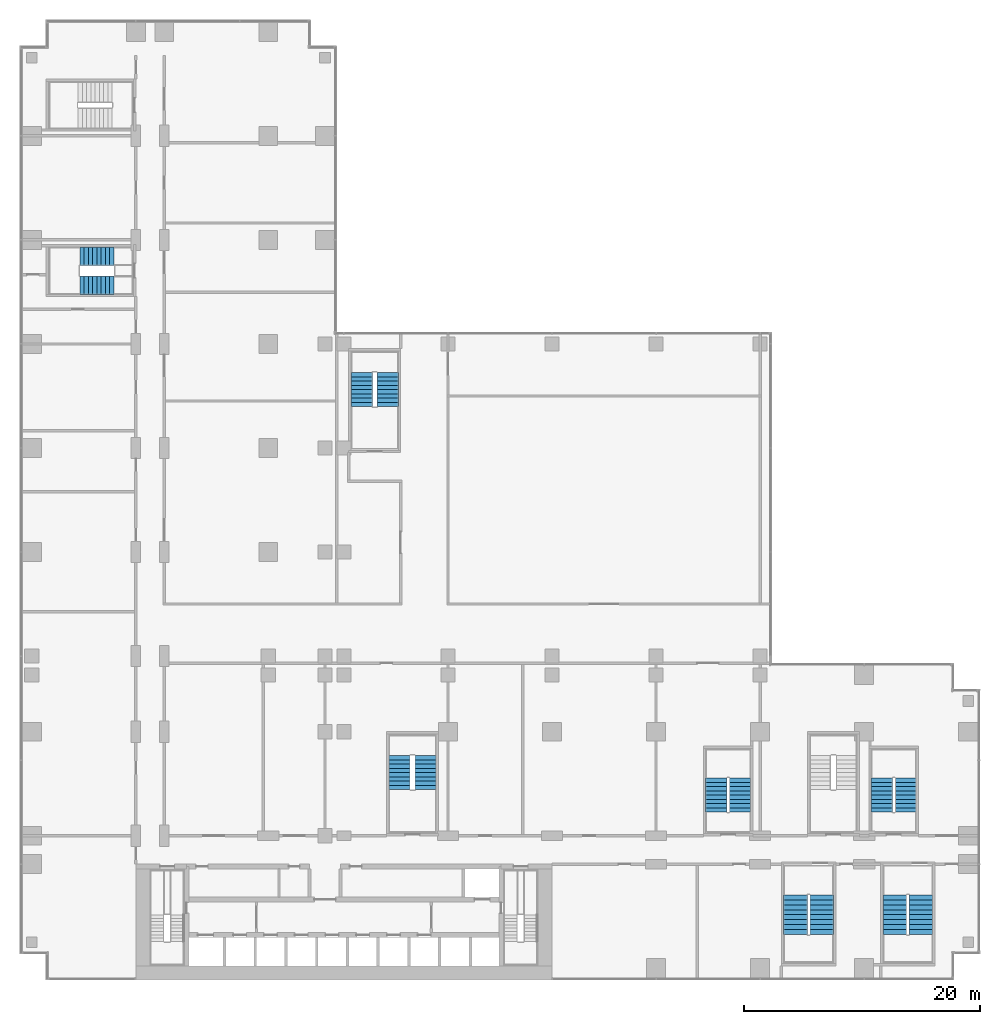
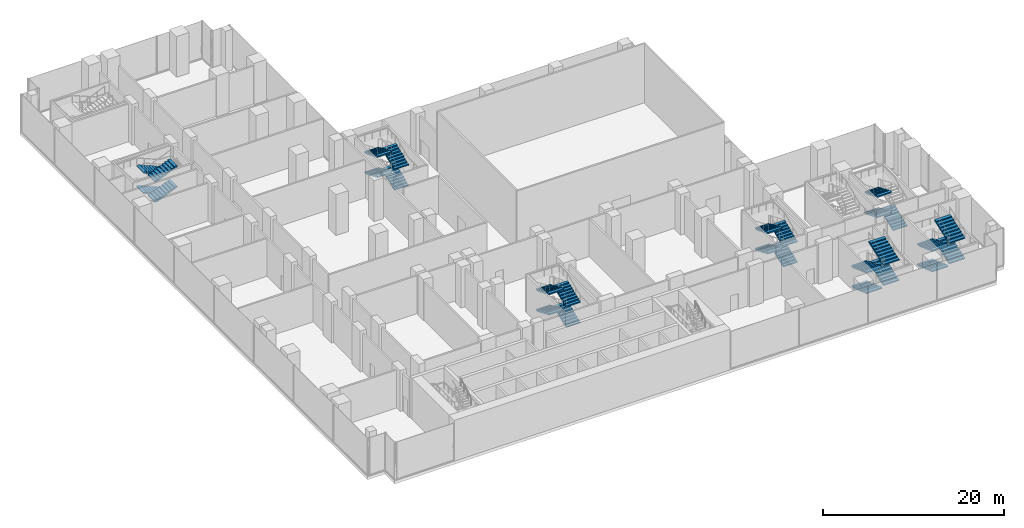
# One storey, part 23 of 30: 27 stair flights, 7 elements without a shape of their own.
"""IFC4 building model written with IfcOpenShell, lengths in metres."""

from ifc_helpers import new_model, si_unit, direction, frame, origin, place, context, subcontext, project, spatial, polyline, outline, extrude, material, type_object, element, aggregate, save


model = new_model("IFC4")

# Units and contexts
model_context = context("Model", 3, precision=1e-05, world=origin(), true_north=direction((0.0, 1.0)))
body_context = subcontext(model_context, "Body", "Model", "MODEL_VIEW")
ifc_project = project(units=[si_unit("LENGTHUNIT", "METRE"), si_unit("AREAUNIT", "SQUARE_METRE"), si_unit("VOLUMEUNIT", "CUBIC_METRE"), si_unit("PLANEANGLEUNIT", "RADIAN"), si_unit("MASSUNIT", "GRAM", prefix="KILO")], contexts=[model_context])

# Site, building, storey
site_placement = place(None, origin())
site = spatial("IfcSite", under=ifc_project, at=site_placement, CompositionType="ELEMENT")
building_placement = place(site_placement, origin())
building = spatial("IfcBuilding", under=site, at=building_placement, Name="Kemantara Hotel Tower", CompositionType="ELEMENT")
storey_placement = place(building_placement, frame((0.0, 0.0, 18.0)))
storey = spatial("IfcBuildingStorey", under=building, at=storey_placement, Name="L03", CompositionType="ELEMENT", Elevation=18.0)

# Stair, stair flights
ifc_material = material(Name="Concrete fc 40 MPa", Category="concrete")
stair_type_1 = type_object("IfcStairType", Name="Stair 1550 wide 36 risers of 153 x 360 mm", PredefinedType="HALF_TURN_STAIR", material=ifc_material)
stair_1_placement = place(storey_placement, origin())
stair_1 = element("IfcStair", 1, at=stair_1_placement, inside=storey, type_object=stair_type_1, Name="L03 Exit stair ST4", PredefinedType="HALF_TURN_STAIR")
stair_flight_type_1 = type_object("IfcStairFlightType", Name="Stair flight 1550 wide 153 x 360 mm", PredefinedType="STRAIGHT", material=ifc_material)
stair_flight_1_placement = place(storey_placement, frame((7.949951171875, 61.22509765625, 0.0), z_axis=(0.0, 0.0, 1.0), x_axis=(-1.0, 0.0, 0.0)))
stair_flight_1 = element("IfcStairFlight", 2, at=stair_flight_1_placement, type_object=stair_flight_type_1, Name="ST4 flight 1", NumberOfRisers=9, NumberOfTreads=8, PredefinedType="STRAIGHT", RiserHeight=0.152777778, TreadLength=0.36, context=body_context, shape_type="SweptSolid", body=[
    extrude(outline(polyline([(0.0, 0.0), (0.0, 0.15283203125), (0.360107421875, 0.15283203125), (0.360107421875, 0.3056640625), (0.719970703125, 0.3056640625), (0.719970703125, 0.458251953125), (1.080078125, 0.458251953125), (1.080078125, 0.611083984375), (1.43994140625, 0.611083984375), (1.43994140625, 0.763916015625), (1.800048828125, 0.763916015625), (1.800048828125, 0.916748046875), (2.159912109375, 0.916748046875), (2.159912109375, 1.0693359375), (2.52001953125, 1.0693359375), (2.52001953125, 1.22216796875), (2.8798828125, 1.22216796875), (2.8798828125, 1.375), (2.8798828125, 1.059326171875), (0.3837890625, 0.0), (0.0, 0.0)])), frame((0.0, 0.77490234375, 0.0), z_axis=(0.0, -1.0, 0.0), x_axis=(1.0, 0.0, 0.0)), (0.0, 0.0, 1.0), 1.550048828125),
])
stair_flight_2_placement = place(storey_placement, frame((5.070068359375, 58.77490234375, 1.375), z_axis=(0.0, 0.0, 1.0), x_axis=(1.0, 0.0, 0.0)))
stair_flight_2 = element("IfcStairFlight", 3, at=stair_flight_2_placement, type_object=stair_flight_type_1, Name="ST4 flight 2", NumberOfRisers=9, NumberOfTreads=8, PredefinedType="STRAIGHT", RiserHeight=0.152777778, TreadLength=0.36, context=body_context, shape_type="SweptSolid", body=[
    extrude(outline(polyline([(0.0, 0.0), (0.0, 0.15283203125), (0.360107421875, 0.15283203125), (0.360107421875, 0.3056640625), (0.719970703125, 0.3056640625), (0.719970703125, 0.458251953125), (1.080078125, 0.458251953125), (1.080078125, 0.611083984375), (1.43994140625, 0.611083984375), (1.43994140625, 0.763916015625), (1.800048828125, 0.763916015625), (1.800048828125, 0.916748046875), (2.159912109375, 0.916748046875), (2.159912109375, 1.0693359375), (2.52001953125, 1.0693359375), (2.52001953125, 1.22216796875), (2.8798828125, 1.22216796875), (2.8798828125, 1.375), (2.8798828125, 1.059326171875), (0.3837890625, 0.0), (0.0, 0.0)])), frame((0.0, 0.77490234375, 0.0), z_axis=(0.0, -1.0, 0.0), x_axis=(1.0, 0.0, 0.0)), (0.0, 0.0, 1.0), 1.550048828125),
])
stair_flight_3_placement = place(storey_placement, frame((7.949951171875, 61.22509765625, 2.75), z_axis=(0.0, 0.0, 1.0), x_axis=(-1.0, 0.0, 0.0)))
stair_flight_3 = element("IfcStairFlight", 4, at=stair_flight_3_placement, type_object=stair_flight_type_1, Name="ST4 flight 3", NumberOfRisers=9, NumberOfTreads=8, PredefinedType="STRAIGHT", RiserHeight=0.152777778, TreadLength=0.36, context=body_context, shape_type="SweptSolid", body=[
    extrude(outline(polyline([(0.0, 0.0), (0.0, 0.15283203125), (0.360107421875, 0.15283203125), (0.360107421875, 0.3056640625), (0.719970703125, 0.3056640625), (0.719970703125, 0.458251953125), (1.080078125, 0.458251953125), (1.080078125, 0.611083984375), (1.43994140625, 0.611083984375), (1.43994140625, 0.763916015625), (1.800048828125, 0.763916015625), (1.800048828125, 0.916748046875), (2.159912109375, 0.916748046875), (2.159912109375, 1.0693359375), (2.52001953125, 1.0693359375), (2.52001953125, 1.22216796875), (2.8798828125, 1.22216796875), (2.8798828125, 1.375), (2.8798828125, 1.059326171875), (0.3837890625, 0.0), (0.0, 0.0)])), frame((0.0, 0.77490234375, 0.0), z_axis=(0.0, -1.0, 0.0), x_axis=(1.0, 0.0, 0.0)), (0.0, 0.0, 1.0), 1.550048828125),
])
stair_flight_4_placement = place(storey_placement, frame((5.070068359375, 58.77490234375, 4.125), z_axis=(0.0, 0.0, 1.0), x_axis=(1.0, 0.0, 0.0)))
stair_flight_4 = element("IfcStairFlight", 5, at=stair_flight_4_placement, type_object=stair_flight_type_1, Name="ST4 flight 4", NumberOfRisers=9, NumberOfTreads=8, PredefinedType="STRAIGHT", RiserHeight=0.152777778, TreadLength=0.36, context=body_context, shape_type="SweptSolid", body=[
    extrude(outline(polyline([(0.0, 0.0), (0.0, 0.15283203125), (0.360107421875, 0.15283203125), (0.360107421875, 0.3056640625), (0.719970703125, 0.3056640625), (0.719970703125, 0.458251953125), (1.080078125, 0.458251953125), (1.080078125, 0.611083984375), (1.43994140625, 0.611083984375), (1.43994140625, 0.763916015625), (1.800048828125, 0.763916015625), (1.800048828125, 0.916748046875), (2.159912109375, 0.916748046875), (2.159912109375, 1.0693359375), (2.52001953125, 1.0693359375), (2.52001953125, 1.22216796875), (2.8798828125, 1.22216796875), (2.8798828125, 1.375), (2.8798828125, 1.059326171875), (0.3837890625, 0.0), (0.0, 0.0)])), frame((0.0, 0.77490234375, 0.0), z_axis=(0.0, -1.0, 0.0), x_axis=(1.0, 0.0, 0.0)), (0.0, 0.0, 1.0), 1.550048828125),
])
aggregate(stair_1, [stair_flight_1, stair_flight_2, stair_flight_3, stair_flight_4])

stair_type_2 = type_object("IfcStairType", Name="Stair 1800 wide 36 risers of 153 x 360 mm", PredefinedType="HALF_TURN_STAIR", material=ifc_material)
stair_2_placement = place(storey_placement, origin())
stair_2 = element("IfcStair", 6, at=stair_2_placement, inside=storey, type_object=stair_type_2, Name="L03 Exit stair ST3", PredefinedType="HALF_TURN_STAIR")
stair_flight_type_2 = type_object("IfcStairFlightType", Name="Stair flight 1800 wide 153 x 360 mm", PredefinedType="STRAIGHT", material=ifc_material)
stair_flight_5_placement = place(storey_placement, frame((60.89990234375, 14.199951171875, 0.0), z_axis=(0.0, 0.0, 1.0), x_axis=(0.0, 1.0, 0.0)))
stair_flight_5 = element("IfcStairFlight", 7, at=stair_flight_5_placement, type_object=stair_flight_type_2, Name="ST3 flight 1", NumberOfRisers=9, NumberOfTreads=8, PredefinedType="STRAIGHT", RiserHeight=0.152777778, TreadLength=0.36, context=body_context, shape_type="SweptSolid", body=[
    extrude(outline(polyline([(0.0, 0.0), (0.0, 0.15283203125), (0.360107421875, 0.15283203125), (0.360107421875, 0.3056640625), (0.719970703125, 0.3056640625), (0.719970703125, 0.458251953125), (1.080078125, 0.458251953125), (1.080078125, 0.611083984375), (1.43994140625, 0.611083984375), (1.43994140625, 0.763916015625), (1.800048828125, 0.763916015625), (1.800048828125, 0.916748046875), (2.159912109375, 0.916748046875), (2.159912109375, 1.0693359375), (2.52001953125, 1.0693359375), (2.52001953125, 1.22216796875), (2.8798828125, 1.22216796875), (2.8798828125, 1.375), (2.8798828125, 1.059326171875), (0.3837890625, 0.0), (0.0, 0.0)])), frame((0.0, 0.89990234375, 0.0), z_axis=(0.0, -1.0, 0.0), x_axis=(1.0, 0.0, 0.0)), (0.0, 0.0, 1.0), 1.800048828125),
])
stair_flight_6_placement = place(storey_placement, frame((58.89990234375, 17.080078125, 1.375), z_axis=(0.0, 0.0, 1.0), x_axis=(0.0, -1.0, 0.0)))
stair_flight_6 = element("IfcStairFlight", 8, at=stair_flight_6_placement, type_object=stair_flight_type_2, Name="ST3 flight 2", NumberOfRisers=9, NumberOfTreads=8, PredefinedType="STRAIGHT", RiserHeight=0.152777778, TreadLength=0.36, context=body_context, shape_type="SweptSolid", body=[
    extrude(outline(polyline([(0.0, 0.0), (0.0, 0.15283203125), (0.360107421875, 0.15283203125), (0.360107421875, 0.3056640625), (0.719970703125, 0.3056640625), (0.719970703125, 0.458251953125), (1.080078125, 0.458251953125), (1.080078125, 0.611083984375), (1.43994140625, 0.611083984375), (1.43994140625, 0.763916015625), (1.800048828125, 0.763916015625), (1.800048828125, 0.916748046875), (2.159912109375, 0.916748046875), (2.159912109375, 1.0693359375), (2.52001953125, 1.0693359375), (2.52001953125, 1.22216796875), (2.8798828125, 1.22216796875), (2.8798828125, 1.375), (2.8798828125, 1.059326171875), (0.3837890625, 0.0), (0.0, 0.0)])), frame((0.0, 0.89990234375, 0.0), z_axis=(0.0, -1.0, 0.0), x_axis=(1.0, 0.0, 0.0)), (0.0, 0.0, 1.0), 1.800048828125),
])
stair_flight_7_placement = place(storey_placement, frame((60.89990234375, 14.199951171875, 2.75), z_axis=(0.0, 0.0, 1.0), x_axis=(0.0, 1.0, 0.0)))
stair_flight_7 = element("IfcStairFlight", 9, at=stair_flight_7_placement, type_object=stair_flight_type_2, Name="ST3 flight 3", NumberOfRisers=9, NumberOfTreads=8, PredefinedType="STRAIGHT", RiserHeight=0.152777778, TreadLength=0.36, context=body_context, shape_type="SweptSolid", body=[
    extrude(outline(polyline([(0.0, 0.0), (0.0, 0.15283203125), (0.360107421875, 0.15283203125), (0.360107421875, 0.3056640625), (0.719970703125, 0.3056640625), (0.719970703125, 0.458251953125), (1.080078125, 0.458251953125), (1.080078125, 0.611083984375), (1.43994140625, 0.611083984375), (1.43994140625, 0.763916015625), (1.800048828125, 0.763916015625), (1.800048828125, 0.916748046875), (2.159912109375, 0.916748046875), (2.159912109375, 1.0693359375), (2.52001953125, 1.0693359375), (2.52001953125, 1.22216796875), (2.8798828125, 1.22216796875), (2.8798828125, 1.375), (2.8798828125, 1.059326171875), (0.3837890625, 0.0), (0.0, 0.0)])), frame((0.0, 0.89990234375, 0.0), z_axis=(0.0, -1.0, 0.0), x_axis=(1.0, 0.0, 0.0)), (0.0, 0.0, 1.0), 1.800048828125),
])
stair_flight_8_placement = place(storey_placement, frame((58.89990234375, 17.080078125, 4.125), z_axis=(0.0, 0.0, 1.0), x_axis=(0.0, -1.0, 0.0)))
stair_flight_8 = element("IfcStairFlight", 10, at=stair_flight_8_placement, type_object=stair_flight_type_2, Name="ST3 flight 4", NumberOfRisers=9, NumberOfTreads=8, PredefinedType="STRAIGHT", RiserHeight=0.152777778, TreadLength=0.36, context=body_context, shape_type="SweptSolid", body=[
    extrude(outline(polyline([(0.0, 0.0), (0.0, 0.15283203125), (0.360107421875, 0.15283203125), (0.360107421875, 0.3056640625), (0.719970703125, 0.3056640625), (0.719970703125, 0.458251953125), (1.080078125, 0.458251953125), (1.080078125, 0.611083984375), (1.43994140625, 0.611083984375), (1.43994140625, 0.763916015625), (1.800048828125, 0.763916015625), (1.800048828125, 0.916748046875), (2.159912109375, 0.916748046875), (2.159912109375, 1.0693359375), (2.52001953125, 1.0693359375), (2.52001953125, 1.22216796875), (2.8798828125, 1.22216796875), (2.8798828125, 1.375), (2.8798828125, 1.059326171875), (0.3837890625, 0.0), (0.0, 0.0)])), frame((0.0, 0.89990234375, 0.0), z_axis=(0.0, -1.0, 0.0), x_axis=(1.0, 0.0, 0.0)), (0.0, 0.0, 1.0), 1.800048828125),
])
aggregate(stair_2, [stair_flight_5, stair_flight_6, stair_flight_7, stair_flight_8])

stair_3_placement = place(storey_placement, origin())
stair_3 = element("IfcStair", 11, at=stair_3_placement, inside=storey, type_object=stair_type_2, Name="L03 Exit stair ST5", PredefinedType="HALF_TURN_STAIR")
stair_flight_9_placement = place(storey_placement, frame((74.89990234375, 14.199951171875, 0.0), z_axis=(0.0, 0.0, 1.0), x_axis=(0.0, 1.0, 0.0)))
stair_flight_9 = element("IfcStairFlight", 12, at=stair_flight_9_placement, type_object=stair_flight_type_2, Name="ST5 flight 1", NumberOfRisers=9, NumberOfTreads=8, PredefinedType="STRAIGHT", RiserHeight=0.152777778, TreadLength=0.36, context=body_context, shape_type="SweptSolid", body=[
    extrude(outline(polyline([(0.0, 0.0), (0.0, 0.15283203125), (0.360107421875, 0.15283203125), (0.360107421875, 0.3056640625), (0.719970703125, 0.3056640625), (0.719970703125, 0.458251953125), (1.080078125, 0.458251953125), (1.080078125, 0.611083984375), (1.43994140625, 0.611083984375), (1.43994140625, 0.763916015625), (1.800048828125, 0.763916015625), (1.800048828125, 0.916748046875), (2.159912109375, 0.916748046875), (2.159912109375, 1.0693359375), (2.52001953125, 1.0693359375), (2.52001953125, 1.22216796875), (2.8798828125, 1.22216796875), (2.8798828125, 1.375), (2.8798828125, 1.059326171875), (0.3837890625, 0.0), (0.0, 0.0)])), frame((0.0, 0.89990234375, 0.0), z_axis=(0.0, -1.0, 0.0), x_axis=(1.0, 0.0, 0.0)), (0.0, 0.0, 1.0), 1.800048828125),
])
stair_flight_10_placement = place(storey_placement, frame((72.89990234375, 17.080078125, 1.375), z_axis=(0.0, 0.0, 1.0), x_axis=(0.0, -1.0, 0.0)))
stair_flight_10 = element("IfcStairFlight", 13, at=stair_flight_10_placement, type_object=stair_flight_type_2, Name="ST5 flight 2", NumberOfRisers=9, NumberOfTreads=8, PredefinedType="STRAIGHT", RiserHeight=0.152777778, TreadLength=0.36, context=body_context, shape_type="SweptSolid", body=[
    extrude(outline(polyline([(0.0, 0.0), (0.0, 0.15283203125), (0.360107421875, 0.15283203125), (0.360107421875, 0.3056640625), (0.719970703125, 0.3056640625), (0.719970703125, 0.458251953125), (1.080078125, 0.458251953125), (1.080078125, 0.611083984375), (1.43994140625, 0.611083984375), (1.43994140625, 0.763916015625), (1.800048828125, 0.763916015625), (1.800048828125, 0.916748046875), (2.159912109375, 0.916748046875), (2.159912109375, 1.0693359375), (2.52001953125, 1.0693359375), (2.52001953125, 1.22216796875), (2.8798828125, 1.22216796875), (2.8798828125, 1.375), (2.8798828125, 1.059326171875), (0.3837890625, 0.0), (0.0, 0.0)])), frame((0.0, 0.89990234375, 0.0), z_axis=(0.0, -1.0, 0.0), x_axis=(1.0, 0.0, 0.0)), (0.0, 0.0, 1.0), 1.800048828125),
])
stair_flight_11_placement = place(storey_placement, frame((72.89990234375, 17.080078125, 4.125), z_axis=(0.0, 0.0, 1.0), x_axis=(0.0, -1.0, 0.0)))
stair_flight_11 = element("IfcStairFlight", 14, at=stair_flight_11_placement, type_object=stair_flight_type_2, Name="ST5 flight 4", NumberOfRisers=9, NumberOfTreads=8, PredefinedType="STRAIGHT", RiserHeight=0.152777778, TreadLength=0.36, context=body_context, shape_type="SweptSolid", body=[
    extrude(outline(polyline([(0.0, 0.0), (0.0, 0.15283203125), (0.360107421875, 0.15283203125), (0.360107421875, 0.3056640625), (0.719970703125, 0.3056640625), (0.719970703125, 0.458251953125), (1.080078125, 0.458251953125), (1.080078125, 0.611083984375), (1.43994140625, 0.611083984375), (1.43994140625, 0.763916015625), (1.800048828125, 0.763916015625), (1.800048828125, 0.916748046875), (2.159912109375, 0.916748046875), (2.159912109375, 1.0693359375), (2.52001953125, 1.0693359375), (2.52001953125, 1.22216796875), (2.8798828125, 1.22216796875), (2.8798828125, 1.375), (2.8798828125, 1.059326171875), (0.3837890625, 0.0), (0.0, 0.0)])), frame((0.0, 0.89990234375, 0.0), z_axis=(0.0, -1.0, 0.0), x_axis=(1.0, 0.0, 0.0)), (0.0, 0.0, 1.0), 1.800048828125),
])
aggregate(stair_3, [stair_flight_9, stair_flight_10, stair_flight_11])

stair_4_placement = place(storey_placement, origin())
stair_4 = element("IfcStair", 15, at=stair_4_placement, inside=storey, type_object=stair_type_2, Name="L03 Stair PS2", PredefinedType="HALF_TURN_STAIR")
stair_flight_12_placement = place(storey_placement, frame((31.10009765625, 48.5, 0.0), z_axis=(0.0, 0.0, 1.0), x_axis=(0.0, 1.0, 0.0)))
stair_flight_12 = element("IfcStairFlight", 16, at=stair_flight_12_placement, type_object=stair_flight_type_2, Name="PS2 flight 1", NumberOfRisers=9, NumberOfTreads=8, PredefinedType="STRAIGHT", RiserHeight=0.152777778, TreadLength=0.36, context=body_context, shape_type="SweptSolid", body=[
    extrude(outline(polyline([(0.0, 0.0), (0.0, 0.15283203125), (0.360107421875, 0.15283203125), (0.360107421875, 0.3056640625), (0.719970703125, 0.3056640625), (0.719970703125, 0.458251953125), (1.080078125, 0.458251953125), (1.080078125, 0.611083984375), (1.43994140625, 0.611083984375), (1.43994140625, 0.763916015625), (1.800048828125, 0.763916015625), (1.800048828125, 0.916748046875), (2.159912109375, 0.916748046875), (2.159912109375, 1.0693359375), (2.52001953125, 1.0693359375), (2.52001953125, 1.22216796875), (2.8798828125, 1.22216796875), (2.8798828125, 1.375), (2.8798828125, 1.059326171875), (0.3837890625, 0.0), (0.0, 0.0)])), frame((0.0, 0.89990234375, 0.0), z_axis=(0.0, -1.0, 0.0), x_axis=(1.0, 0.0, 0.0)), (0.0, 0.0, 1.0), 1.800048828125),
])
stair_flight_13_placement = place(storey_placement, frame((28.89990234375, 51.3798828125, 1.375), z_axis=(0.0, 0.0, 1.0), x_axis=(0.0, -1.0, 0.0)))
stair_flight_13 = element("IfcStairFlight", 17, at=stair_flight_13_placement, type_object=stair_flight_type_2, Name="PS2 flight 2", NumberOfRisers=9, NumberOfTreads=8, PredefinedType="STRAIGHT", RiserHeight=0.152777778, TreadLength=0.36, context=body_context, shape_type="SweptSolid", body=[
    extrude(outline(polyline([(0.0, 0.0), (0.0, 0.15283203125), (0.360107421875, 0.15283203125), (0.360107421875, 0.3056640625), (0.719970703125, 0.3056640625), (0.719970703125, 0.458251953125), (1.080078125, 0.458251953125), (1.080078125, 0.611083984375), (1.43994140625, 0.611083984375), (1.43994140625, 0.763916015625), (1.800048828125, 0.763916015625), (1.800048828125, 0.916748046875), (2.159912109375, 0.916748046875), (2.159912109375, 1.0693359375), (2.52001953125, 1.0693359375), (2.52001953125, 1.22216796875), (2.8798828125, 1.22216796875), (2.8798828125, 1.375), (2.8798828125, 1.059326171875), (0.3837890625, 0.0), (0.0, 0.0)])), frame((0.0, 0.89990234375, 0.0), z_axis=(0.0, -1.0, 0.0), x_axis=(1.0, 0.0, 0.0)), (0.0, 0.0, 1.0), 1.800048828125),
])
stair_flight_14_placement = place(storey_placement, frame((31.10009765625, 48.5, 2.75), z_axis=(0.0, 0.0, 1.0), x_axis=(0.0, 1.0, 0.0)))
stair_flight_14 = element("IfcStairFlight", 18, at=stair_flight_14_placement, type_object=stair_flight_type_2, Name="PS2 flight 3", NumberOfRisers=9, NumberOfTreads=8, PredefinedType="STRAIGHT", RiserHeight=0.152777778, TreadLength=0.36, context=body_context, shape_type="SweptSolid", body=[
    extrude(outline(polyline([(0.0, 0.0), (0.0, 0.15283203125), (0.360107421875, 0.15283203125), (0.360107421875, 0.3056640625), (0.719970703125, 0.3056640625), (0.719970703125, 0.458251953125), (1.080078125, 0.458251953125), (1.080078125, 0.611083984375), (1.43994140625, 0.611083984375), (1.43994140625, 0.763916015625), (1.800048828125, 0.763916015625), (1.800048828125, 0.916748046875), (2.159912109375, 0.916748046875), (2.159912109375, 1.0693359375), (2.52001953125, 1.0693359375), (2.52001953125, 1.22216796875), (2.8798828125, 1.22216796875), (2.8798828125, 1.375), (2.8798828125, 1.059326171875), (0.3837890625, 0.0), (0.0, 0.0)])), frame((0.0, 0.89990234375, 0.0), z_axis=(0.0, -1.0, 0.0), x_axis=(1.0, 0.0, 0.0)), (0.0, 0.0, 1.0), 1.800048828125),
])
stair_flight_15_placement = place(storey_placement, frame((28.89990234375, 51.3798828125, 4.125), z_axis=(0.0, 0.0, 1.0), x_axis=(0.0, -1.0, 0.0)))
stair_flight_15 = element("IfcStairFlight", 19, at=stair_flight_15_placement, type_object=stair_flight_type_2, Name="PS2 flight 4", NumberOfRisers=9, NumberOfTreads=8, PredefinedType="STRAIGHT", RiserHeight=0.152777778, TreadLength=0.36, context=body_context, shape_type="SweptSolid", body=[
    extrude(outline(polyline([(0.0, 0.0), (0.0, 0.15283203125), (0.360107421875, 0.15283203125), (0.360107421875, 0.3056640625), (0.719970703125, 0.3056640625), (0.719970703125, 0.458251953125), (1.080078125, 0.458251953125), (1.080078125, 0.611083984375), (1.43994140625, 0.611083984375), (1.43994140625, 0.763916015625), (1.800048828125, 0.763916015625), (1.800048828125, 0.916748046875), (2.159912109375, 0.916748046875), (2.159912109375, 1.0693359375), (2.52001953125, 1.0693359375), (2.52001953125, 1.22216796875), (2.8798828125, 1.22216796875), (2.8798828125, 1.375), (2.8798828125, 1.059326171875), (0.3837890625, 0.0), (0.0, 0.0)])), frame((0.0, 0.89990234375, 0.0), z_axis=(0.0, -1.0, 0.0), x_axis=(1.0, 0.0, 0.0)), (0.0, 0.0, 1.0), 1.800048828125),
])
aggregate(stair_4, [stair_flight_12, stair_flight_13, stair_flight_14, stair_flight_15])

stair_5_placement = place(storey_placement, origin())
stair_5 = element("IfcStair", 20, at=stair_5_placement, inside=storey, type_object=stair_type_2, Name="L03 Stair PS3", PredefinedType="HALF_TURN_STAIR")
stair_flight_16_placement = place(storey_placement, frame((34.300048828125, 16.10009765625, 0.0), z_axis=(0.0, 0.0, 1.0), x_axis=(0.0, 1.0, 0.0)))
stair_flight_16 = element("IfcStairFlight", 21, at=stair_flight_16_placement, type_object=stair_flight_type_2, Name="PS3 flight 1", NumberOfRisers=9, NumberOfTreads=8, PredefinedType="STRAIGHT", RiserHeight=0.152777778, TreadLength=0.36, context=body_context, shape_type="SweptSolid", body=[
    extrude(outline(polyline([(0.0, 0.0), (0.0, 0.15283203125), (0.360107421875, 0.15283203125), (0.360107421875, 0.3056640625), (0.719970703125, 0.3056640625), (0.719970703125, 0.458251953125), (1.080078125, 0.458251953125), (1.080078125, 0.611083984375), (1.43994140625, 0.611083984375), (1.43994140625, 0.763916015625), (1.800048828125, 0.763916015625), (1.800048828125, 0.916748046875), (2.159912109375, 0.916748046875), (2.159912109375, 1.0693359375), (2.52001953125, 1.0693359375), (2.52001953125, 1.22216796875), (2.8798828125, 1.22216796875), (2.8798828125, 1.375), (2.8798828125, 1.059326171875), (0.3837890625, 0.0), (0.0, 0.0)])), frame((0.0, 0.89990234375, 0.0), z_axis=(0.0, -1.0, 0.0), x_axis=(1.0, 0.0, 0.0)), (0.0, 0.0, 1.0), 1.800048828125),
])
stair_flight_17_placement = place(storey_placement, frame((32.10009765625, 18.97998046875, 1.375), z_axis=(0.0, 0.0, 1.0), x_axis=(0.0, -1.0, 0.0)))
stair_flight_17 = element("IfcStairFlight", 22, at=stair_flight_17_placement, type_object=stair_flight_type_2, Name="PS3 flight 2", NumberOfRisers=9, NumberOfTreads=8, PredefinedType="STRAIGHT", RiserHeight=0.152777778, TreadLength=0.36, context=body_context, shape_type="SweptSolid", body=[
    extrude(outline(polyline([(0.0, 0.0), (0.0, 0.15283203125), (0.360107421875, 0.15283203125), (0.360107421875, 0.3056640625), (0.719970703125, 0.3056640625), (0.719970703125, 0.458251953125), (1.080078125, 0.458251953125), (1.080078125, 0.611083984375), (1.43994140625, 0.611083984375), (1.43994140625, 0.763916015625), (1.800048828125, 0.763916015625), (1.800048828125, 0.916748046875), (2.159912109375, 0.916748046875), (2.159912109375, 1.0693359375), (2.52001953125, 1.0693359375), (2.52001953125, 1.22216796875), (2.8798828125, 1.22216796875), (2.8798828125, 1.375), (2.8798828125, 1.059326171875), (0.3837890625, 0.0), (0.0, 0.0)])), frame((0.0, 0.89990234375, 0.0), z_axis=(0.0, -1.0, 0.0), x_axis=(1.0, 0.0, 0.0)), (0.0, 0.0, 1.0), 1.800048828125),
])
stair_flight_18_placement = place(storey_placement, frame((34.300048828125, 16.10009765625, 2.75), z_axis=(0.0, 0.0, 1.0), x_axis=(0.0, 1.0, 0.0)))
stair_flight_18 = element("IfcStairFlight", 23, at=stair_flight_18_placement, type_object=stair_flight_type_2, Name="PS3 flight 3", NumberOfRisers=9, NumberOfTreads=8, PredefinedType="STRAIGHT", RiserHeight=0.152777778, TreadLength=0.36, context=body_context, shape_type="SweptSolid", body=[
    extrude(outline(polyline([(0.0, 0.0), (0.0, 0.15283203125), (0.360107421875, 0.15283203125), (0.360107421875, 0.3056640625), (0.719970703125, 0.3056640625), (0.719970703125, 0.458251953125), (1.080078125, 0.458251953125), (1.080078125, 0.611083984375), (1.43994140625, 0.611083984375), (1.43994140625, 0.763916015625), (1.800048828125, 0.763916015625), (1.800048828125, 0.916748046875), (2.159912109375, 0.916748046875), (2.159912109375, 1.0693359375), (2.52001953125, 1.0693359375), (2.52001953125, 1.22216796875), (2.8798828125, 1.22216796875), (2.8798828125, 1.375), (2.8798828125, 1.059326171875), (0.3837890625, 0.0), (0.0, 0.0)])), frame((0.0, 0.89990234375, 0.0), z_axis=(0.0, -1.0, 0.0), x_axis=(1.0, 0.0, 0.0)), (0.0, 0.0, 1.0), 1.800048828125),
])
stair_flight_19_placement = place(storey_placement, frame((32.10009765625, 18.97998046875, 4.125), z_axis=(0.0, 0.0, 1.0), x_axis=(0.0, -1.0, 0.0)))
stair_flight_19 = element("IfcStairFlight", 24, at=stair_flight_19_placement, type_object=stair_flight_type_2, Name="PS3 flight 4", NumberOfRisers=9, NumberOfTreads=8, PredefinedType="STRAIGHT", RiserHeight=0.152777778, TreadLength=0.36, context=body_context, shape_type="SweptSolid", body=[
    extrude(outline(polyline([(0.0, 0.0), (0.0, 0.15283203125), (0.360107421875, 0.15283203125), (0.360107421875, 0.3056640625), (0.719970703125, 0.3056640625), (0.719970703125, 0.458251953125), (1.080078125, 0.458251953125), (1.080078125, 0.611083984375), (1.43994140625, 0.611083984375), (1.43994140625, 0.763916015625), (1.800048828125, 0.763916015625), (1.800048828125, 0.916748046875), (2.159912109375, 0.916748046875), (2.159912109375, 1.0693359375), (2.52001953125, 1.0693359375), (2.52001953125, 1.22216796875), (2.8798828125, 1.22216796875), (2.8798828125, 1.375), (2.8798828125, 1.059326171875), (0.3837890625, 0.0), (0.0, 0.0)])), frame((0.0, 0.89990234375, 0.0), z_axis=(0.0, -1.0, 0.0), x_axis=(1.0, 0.0, 0.0)), (0.0, 0.0, 1.0), 1.800048828125),
])
aggregate(stair_5, [stair_flight_16, stair_flight_17, stair_flight_18, stair_flight_19])

stair_type_3 = type_object("IfcStairType", Name="Stair 2000 wide 36 risers of 153 x 420 mm", PredefinedType="HALF_TURN_STAIR", material=ifc_material)
stair_6_placement = place(storey_placement, origin())
stair_6 = element("IfcStair", 25, at=stair_6_placement, inside=storey, type_object=stair_type_3, Name="L03 Stair PS4", PredefinedType="HALF_TURN_STAIR")
stair_flight_type_3 = type_object("IfcStairFlightType", Name="Stair flight 2000 wide 153 x 420 mm", PredefinedType="STRAIGHT", material=ifc_material)
stair_flight_20_placement = place(storey_placement, frame((65.60009765625, 7.199951171875, 0.0), z_axis=(0.0, 0.0, 1.0), x_axis=(0.0, -1.0, 0.0)))
stair_flight_20 = element("IfcStairFlight", 26, at=stair_flight_20_placement, type_object=stair_flight_type_3, Name="PS4 flight 1", NumberOfRisers=9, NumberOfTreads=8, PredefinedType="STRAIGHT", RiserHeight=0.152777778, TreadLength=0.42, context=body_context, shape_type="SweptSolid", body=[
    extrude(outline(polyline([(0.0, 0.0), (0.0, 0.15283203125), (0.419921875, 0.15283203125), (0.419921875, 0.3056640625), (0.840087890625, 0.3056640625), (0.840087890625, 0.458251953125), (1.260009765625, 0.458251953125), (1.260009765625, 0.611083984375), (1.679931640625, 0.611083984375), (1.679931640625, 0.763916015625), (2.10009765625, 0.763916015625), (2.10009765625, 0.916748046875), (2.52001953125, 0.916748046875), (2.52001953125, 1.0693359375), (2.93994140625, 1.0693359375), (2.93994140625, 1.22216796875), (3.360107421875, 1.22216796875), (3.360107421875, 1.375), (3.360107421875, 1.062744140625), (0.4384765625, 0.0), (0.0, 0.0)])), frame((0.0, 1.0, 0.0), z_axis=(0.0, -1.0, 0.0), x_axis=(1.0, 0.0, 0.0)), (0.0, 0.0, 1.0), 2.0),
])
stair_flight_21_placement = place(storey_placement, frame((67.800048828125, 3.840087890625, 1.375), z_axis=(0.0, 0.0, 1.0), x_axis=(0.0, 1.0, 0.0)))
stair_flight_21 = element("IfcStairFlight", 27, at=stair_flight_21_placement, type_object=stair_flight_type_3, Name="PS4 flight 2", NumberOfRisers=9, NumberOfTreads=8, PredefinedType="STRAIGHT", RiserHeight=0.152777778, TreadLength=0.42, context=body_context, shape_type="SweptSolid", body=[
    extrude(outline(polyline([(0.0, 0.0), (0.0, 0.15283203125), (0.419921875, 0.15283203125), (0.419921875, 0.3056640625), (0.840087890625, 0.3056640625), (0.840087890625, 0.458251953125), (1.260009765625, 0.458251953125), (1.260009765625, 0.611083984375), (1.679931640625, 0.611083984375), (1.679931640625, 0.763916015625), (2.10009765625, 0.763916015625), (2.10009765625, 0.916748046875), (2.52001953125, 0.916748046875), (2.52001953125, 1.0693359375), (2.93994140625, 1.0693359375), (2.93994140625, 1.22216796875), (3.360107421875, 1.22216796875), (3.360107421875, 1.375), (3.360107421875, 1.062744140625), (0.4384765625, 0.0), (0.0, 0.0)])), frame((0.0, 1.0, 0.0), z_axis=(0.0, -1.0, 0.0), x_axis=(1.0, 0.0, 0.0)), (0.0, 0.0, 1.0), 2.0),
])
stair_flight_22_placement = place(storey_placement, frame((65.60009765625, 7.199951171875, 2.75), z_axis=(0.0, 0.0, 1.0), x_axis=(0.0, -1.0, 0.0)))
stair_flight_22 = element("IfcStairFlight", 28, at=stair_flight_22_placement, type_object=stair_flight_type_3, Name="PS4 flight 3", NumberOfRisers=9, NumberOfTreads=8, PredefinedType="STRAIGHT", RiserHeight=0.152777778, TreadLength=0.42, context=body_context, shape_type="SweptSolid", body=[
    extrude(outline(polyline([(0.0, 0.0), (0.0, 0.15283203125), (0.419921875, 0.15283203125), (0.419921875, 0.3056640625), (0.840087890625, 0.3056640625), (0.840087890625, 0.458251953125), (1.260009765625, 0.458251953125), (1.260009765625, 0.611083984375), (1.679931640625, 0.611083984375), (1.679931640625, 0.763916015625), (2.10009765625, 0.763916015625), (2.10009765625, 0.916748046875), (2.52001953125, 0.916748046875), (2.52001953125, 1.0693359375), (2.93994140625, 1.0693359375), (2.93994140625, 1.22216796875), (3.360107421875, 1.22216796875), (3.360107421875, 1.375), (3.360107421875, 1.062744140625), (0.4384765625, 0.0), (0.0, 0.0)])), frame((0.0, 1.0, 0.0), z_axis=(0.0, -1.0, 0.0), x_axis=(1.0, 0.0, 0.0)), (0.0, 0.0, 1.0), 2.0),
])
stair_flight_23_placement = place(storey_placement, frame((67.800048828125, 3.840087890625, 4.125), z_axis=(0.0, 0.0, 1.0), x_axis=(0.0, 1.0, 0.0)))
stair_flight_23 = element("IfcStairFlight", 29, at=stair_flight_23_placement, type_object=stair_flight_type_3, Name="PS4 flight 4", NumberOfRisers=9, NumberOfTreads=8, PredefinedType="STRAIGHT", RiserHeight=0.152777778, TreadLength=0.42, context=body_context, shape_type="SweptSolid", body=[
    extrude(outline(polyline([(0.0, 0.0), (0.0, 0.15283203125), (0.419921875, 0.15283203125), (0.419921875, 0.3056640625), (0.840087890625, 0.3056640625), (0.840087890625, 0.458251953125), (1.260009765625, 0.458251953125), (1.260009765625, 0.611083984375), (1.679931640625, 0.611083984375), (1.679931640625, 0.763916015625), (2.10009765625, 0.763916015625), (2.10009765625, 0.916748046875), (2.52001953125, 0.916748046875), (2.52001953125, 1.0693359375), (2.93994140625, 1.0693359375), (2.93994140625, 1.22216796875), (3.360107421875, 1.22216796875), (3.360107421875, 1.375), (3.360107421875, 1.062744140625), (0.4384765625, 0.0), (0.0, 0.0)])), frame((0.0, 1.0, 0.0), z_axis=(0.0, -1.0, 0.0), x_axis=(1.0, 0.0, 0.0)), (0.0, 0.0, 1.0), 2.0),
])
aggregate(stair_6, [stair_flight_20, stair_flight_21, stair_flight_22, stair_flight_23])

stair_7_placement = place(storey_placement, origin())
stair_7 = element("IfcStair", 30, at=stair_7_placement, inside=storey, type_object=stair_type_3, Name="L03 Stair PS5", PredefinedType="HALF_TURN_STAIR")
stair_flight_24_placement = place(storey_placement, frame((74.0, 7.199951171875, 0.0), z_axis=(0.0, 0.0, 1.0), x_axis=(0.0, -1.0, 0.0)))
stair_flight_24 = element("IfcStairFlight", 31, at=stair_flight_24_placement, type_object=stair_flight_type_3, Name="PS5 flight 1", NumberOfRisers=9, NumberOfTreads=8, PredefinedType="STRAIGHT", RiserHeight=0.152777778, TreadLength=0.42, context=body_context, shape_type="SweptSolid", body=[
    extrude(outline(polyline([(0.0, 0.0), (0.0, 0.15283203125), (0.419921875, 0.15283203125), (0.419921875, 0.3056640625), (0.840087890625, 0.3056640625), (0.840087890625, 0.458251953125), (1.260009765625, 0.458251953125), (1.260009765625, 0.611083984375), (1.679931640625, 0.611083984375), (1.679931640625, 0.763916015625), (2.10009765625, 0.763916015625), (2.10009765625, 0.916748046875), (2.52001953125, 0.916748046875), (2.52001953125, 1.0693359375), (2.93994140625, 1.0693359375), (2.93994140625, 1.22216796875), (3.360107421875, 1.22216796875), (3.360107421875, 1.375), (3.360107421875, 1.062744140625), (0.4384765625, 0.0), (0.0, 0.0)])), frame((0.0, 1.0, 0.0), z_axis=(0.0, -1.0, 0.0), x_axis=(1.0, 0.0, 0.0)), (0.0, 0.0, 1.0), 2.0),
])
stair_flight_25_placement = place(storey_placement, frame((76.199951171875, 3.840087890625, 1.375), z_axis=(0.0, 0.0, 1.0), x_axis=(0.0, 1.0, 0.0)))
stair_flight_25 = element("IfcStairFlight", 32, at=stair_flight_25_placement, type_object=stair_flight_type_3, Name="PS5 flight 2", NumberOfRisers=9, NumberOfTreads=8, PredefinedType="STRAIGHT", RiserHeight=0.152777778, TreadLength=0.42, context=body_context, shape_type="SweptSolid", body=[
    extrude(outline(polyline([(0.0, 0.0), (0.0, 0.15283203125), (0.419921875, 0.15283203125), (0.419921875, 0.3056640625), (0.840087890625, 0.3056640625), (0.840087890625, 0.458251953125), (1.260009765625, 0.458251953125), (1.260009765625, 0.611083984375), (1.679931640625, 0.611083984375), (1.679931640625, 0.763916015625), (2.10009765625, 0.763916015625), (2.10009765625, 0.916748046875), (2.52001953125, 0.916748046875), (2.52001953125, 1.0693359375), (2.93994140625, 1.0693359375), (2.93994140625, 1.22216796875), (3.360107421875, 1.22216796875), (3.360107421875, 1.375), (3.360107421875, 1.062744140625), (0.4384765625, 0.0), (0.0, 0.0)])), frame((0.0, 1.0, 0.0), z_axis=(0.0, -1.0, 0.0), x_axis=(1.0, 0.0, 0.0)), (0.0, 0.0, 1.0), 2.0),
])
stair_flight_26_placement = place(storey_placement, frame((74.0, 7.199951171875, 2.75), z_axis=(0.0, 0.0, 1.0), x_axis=(0.0, -1.0, 0.0)))
stair_flight_26 = element("IfcStairFlight", 33, at=stair_flight_26_placement, type_object=stair_flight_type_3, Name="PS5 flight 3", NumberOfRisers=9, NumberOfTreads=8, PredefinedType="STRAIGHT", RiserHeight=0.152777778, TreadLength=0.42, context=body_context, shape_type="SweptSolid", body=[
    extrude(outline(polyline([(0.0, 0.0), (0.0, 0.15283203125), (0.419921875, 0.15283203125), (0.419921875, 0.3056640625), (0.840087890625, 0.3056640625), (0.840087890625, 0.458251953125), (1.260009765625, 0.458251953125), (1.260009765625, 0.611083984375), (1.679931640625, 0.611083984375), (1.679931640625, 0.763916015625), (2.10009765625, 0.763916015625), (2.10009765625, 0.916748046875), (2.52001953125, 0.916748046875), (2.52001953125, 1.0693359375), (2.93994140625, 1.0693359375), (2.93994140625, 1.22216796875), (3.360107421875, 1.22216796875), (3.360107421875, 1.375), (3.360107421875, 1.062744140625), (0.4384765625, 0.0), (0.0, 0.0)])), frame((0.0, 1.0, 0.0), z_axis=(0.0, -1.0, 0.0), x_axis=(1.0, 0.0, 0.0)), (0.0, 0.0, 1.0), 2.0),
])
stair_flight_27_placement = place(storey_placement, frame((76.199951171875, 3.840087890625, 4.125), z_axis=(0.0, 0.0, 1.0), x_axis=(0.0, 1.0, 0.0)))
stair_flight_27 = element("IfcStairFlight", 34, at=stair_flight_27_placement, type_object=stair_flight_type_3, Name="PS5 flight 4", NumberOfRisers=9, NumberOfTreads=8, PredefinedType="STRAIGHT", RiserHeight=0.152777778, TreadLength=0.42, context=body_context, shape_type="SweptSolid", body=[
    extrude(outline(polyline([(0.0, 0.0), (0.0, 0.15283203125), (0.419921875, 0.15283203125), (0.419921875, 0.3056640625), (0.840087890625, 0.3056640625), (0.840087890625, 0.458251953125), (1.260009765625, 0.458251953125), (1.260009765625, 0.611083984375), (1.679931640625, 0.611083984375), (1.679931640625, 0.763916015625), (2.10009765625, 0.763916015625), (2.10009765625, 0.916748046875), (2.52001953125, 0.916748046875), (2.52001953125, 1.0693359375), (2.93994140625, 1.0693359375), (2.93994140625, 1.22216796875), (3.360107421875, 1.22216796875), (3.360107421875, 1.375), (3.360107421875, 1.062744140625), (0.4384765625, 0.0), (0.0, 0.0)])), frame((0.0, 1.0, 0.0), z_axis=(0.0, -1.0, 0.0), x_axis=(1.0, 0.0, 0.0)), (0.0, 0.0, 1.0), 2.0),
])
aggregate(stair_7, [stair_flight_24, stair_flight_25, stair_flight_26, stair_flight_27])

save(model, "model.ifc")
